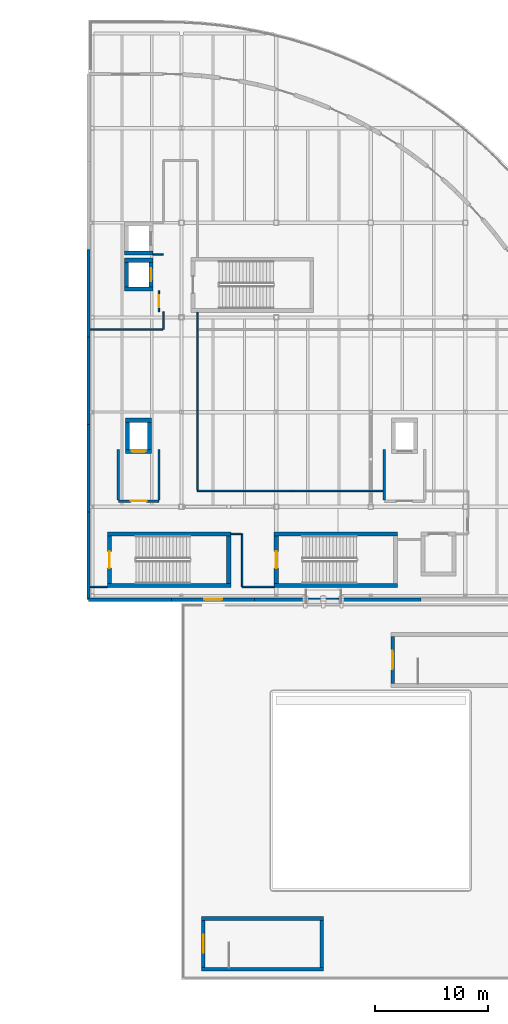
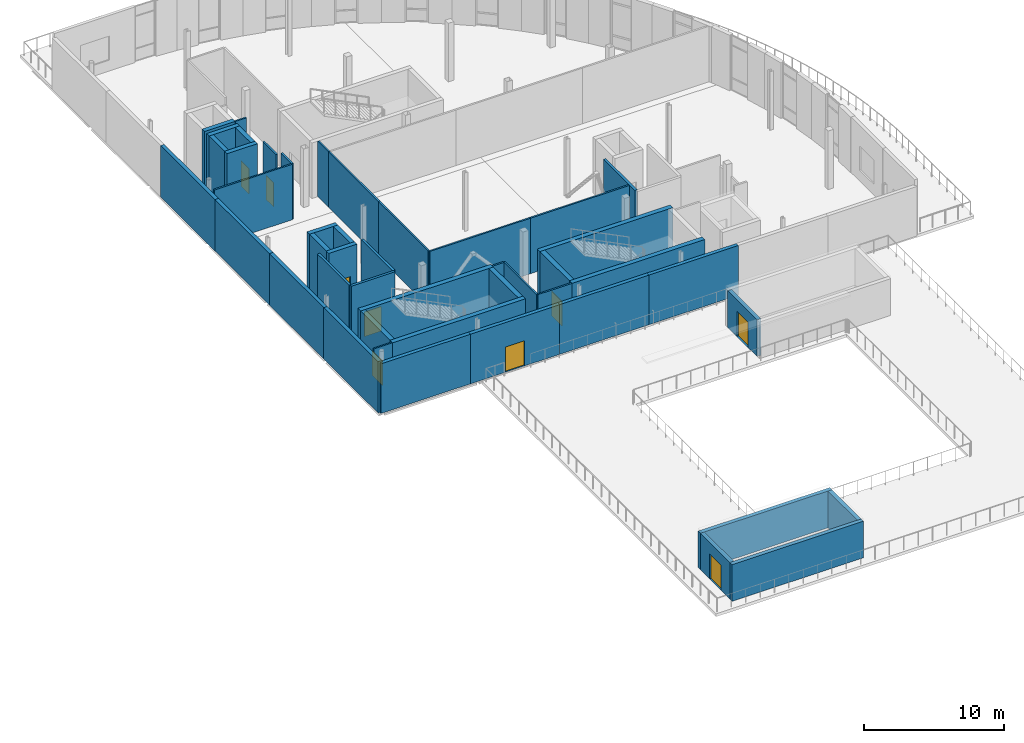
# One storey, part 34 of 57: 46 walls, 9 doors, 9 openings.
"""IFC4 building model written with IfcOpenShell, lengths in metres."""

from ifc_helpers import new_model, si_unit, direction, frame, frame_2d, origin, place, context, subcontext, project, spatial, rectangle, extrude, material, layer, layer_set, type_object, element, fill, save


model = new_model("IFC4")

# Units and contexts
model_context = context("Model", 3, precision=1e-05, world=origin(), true_north=direction((0.0, 1.0)))
body_context = subcontext(model_context, "Body", "Model", "MODEL_VIEW")
ifc_project = project(units=[si_unit("LENGTHUNIT", "METRE"), si_unit("AREAUNIT", "SQUARE_METRE"), si_unit("VOLUMEUNIT", "CUBIC_METRE"), si_unit("PLANEANGLEUNIT", "RADIAN"), si_unit("MASSUNIT", "GRAM", prefix="KILO"), si_unit("THERMODYNAMICTEMPERATUREUNIT", "KELVIN")], contexts=[model_context])

# Site, building, storey
site_placement = place(None, origin())
site = spatial("IfcSite", under=ifc_project, at=site_placement, CompositionType="ELEMENT")
building_placement = place(site_placement, origin())
building = spatial("IfcBuilding", under=site, at=building_placement, Name="Lustrewick Department Store", CompositionType="ELEMENT")
storey_placement = place(building_placement, frame((0.0, 0.0, 26.699951171875)))
storey = spatial("IfcBuildingStorey", under=building, at=storey_placement, Name="L06", CompositionType="ELEMENT", Elevation=26.699951171875)

# Wall
ifc_material_1 = material(Name="Precast concrete C40", Category="concrete")
ifc_layer_1 = layer(ifc_material_1, 0.300048828125, Name="Precast concrete C40")
ifc_layer_set_1 = layer_set([ifc_layer_1], Name="Precast concrete C40")
wall_type_1 = type_object("IfcWallType", Name="EW04", PredefinedType="STANDARD", material=ifc_layer_set_1)
wall_1_placement = place(storey_placement, frame((109.35009765625, 50.550048828125, 0.0), z_axis=(0.0, 0.0, 1.0), x_axis=(1.0, 0.0, 0.0)))
element("IfcWall", 1, at=wall_1_placement, inside=storey, type_object=wall_type_1, Name="L06 V4 Exterior Wall EW04", PredefinedType="STANDARD", context=body_context, shape_type="SweptSolid", body=[
    extrude(rectangle(XDim=7.375, YDim=0.300048828125, at=frame_2d((3.6875, 0.0))), origin(), (0.0, 0.0, 1.0), 4.3310546875),
])

# Wall, opening, door
wall_2_placement = place(storey_placement, frame((116.72509765625, 50.550048828125, 0.0), z_axis=(0.0, 0.0, 1.0), x_axis=(1.0, 0.0, 0.0)))
wall_2 = element("IfcWall", 2, at=wall_2_placement, inside=storey, type_object=wall_type_1, Name="L06 V4 Exterior Wall EW04", PredefinedType="STANDARD", context=body_context, shape_type="SweptSolid", body=[
    extrude(rectangle(XDim=7.375, YDim=0.300048828125, at=frame_2d((3.6875, 0.0))), origin(), (0.0, 0.0, 1.0), 4.3310546875),
])
opening_1_placement = place(wall_2_placement, frame((2.887451171875, 0.0, 0.0)))
opening_1 = element("IfcOpeningElement", 3, at=opening_1_placement, cuts=wall_2, Name="Opening D-TR04", PredefinedType="OPENING", context=body_context, shape_type="SweptSolid", body=[
    extrude(rectangle(XDim=1.60009765625, YDim=2.199951171875, at=frame_2d((0.800048828125, 1.10009765625))), frame((0.0, 0.16015625, 0.0), z_axis=(0.0, -1.0, 0.0), x_axis=(1.0, 0.0, 0.0)), (0.0, 0.0, 1.0), 0.320068359375),
])
ifc_material_2 = material(Name="Steel fire-rated terrace exit door EI 60", Category="steel")
door_type_1 = type_object("IfcDoorType", Name="DT-03", OperationType="NOTDEFINED", PredefinedType="DOOR", material=ifc_material_2)
door_1_placement = place(opening_1_placement, frame((1.60009765625, 0.0, 0.0), z_axis=(0.0, 0.0, 1.0), x_axis=(-1.0, 0.0, 0.0)))
door_1 = element("IfcDoor", 4, at=door_1_placement, inside=storey, type_object=door_type_1, Name="L06 Terrace and Refuge Access Door D-TR04", OperationType="DOUBLE_DOOR_SINGLE_SWING", OverallHeight=2.199951171875, OverallWidth=1.60009765625, PredefinedType="DOOR", context=body_context, shape_type="SweptSolid", body=[
    extrude(rectangle(XDim=1.60009765625, YDim=2.199951171875, at=frame_2d((0.800048828125, 1.10009765625))), frame((0.0, 0.02490234375, 0.0), z_axis=(0.0, -1.0, 0.0), x_axis=(1.0, 0.0, 0.0)), (0.0, 0.0, 1.0), 0.050048828125),
])
fill(opening_1, door_1)

# Walls
for number, where, z_axis, x_axis, name in (
    (5, (124.10009765625, 50.550048828125, 0.0), (0.0, 0.0, 1.0), (1.0, 0.0, 0.0), "L06 V4 Exterior Wall EW04"),
    (6, (131.47509765625, 50.550048828125, 0.0), (0.0, 0.0, 1.0), (1.0, 0.0, 0.0), "L06 V4 Exterior Wall EW04"),
):
    element("IfcWall", number, at=place(storey_placement, frame(where, z_axis=z_axis, x_axis=x_axis)), inside=storey, type_object=wall_type_1, Name=name, PredefinedType="STANDARD", context=body_context, shape_type="SweptSolid", body=[
        extrude(rectangle(XDim=7.375, YDim=0.300048828125, at=frame_2d((3.6875, 0.0))), origin(), (0.0, 0.0, 1.0), 4.3310546875),
    ])
for number, where, z_axis, x_axis, name in (
    (7, (109.35009765625, 81.64990234375, 0.0), (0.0, 0.0, 1.0), (0.0, -1.0, 0.0), "L06 V4 Exterior Wall EW04"),
    (8, (109.35009765625, 73.875, 0.0), (0.0, 0.0, 1.0), (0.0, -1.0, 0.0), "L06 V4 Exterior Wall EW04"),
):
    element("IfcWall", number, at=place(storey_placement, frame(where, z_axis=z_axis, x_axis=x_axis)), inside=storey, type_object=wall_type_1, Name=name, PredefinedType="STANDARD", context=body_context, shape_type="SweptSolid", body=[
        extrude(rectangle(XDim=7.77490234375, YDim=0.300048828125, at=frame_2d((3.887451171875, 0.0))), origin(), (0.0, 0.0, 1.0), 4.487060546875),
    ])
wall_3_placement = place(storey_placement, frame((109.35009765625, 66.10009765625, 0.0), z_axis=(0.0, 0.0, 1.0), x_axis=(0.0, -1.0, 0.0)))
element("IfcWall", 9, at=wall_3_placement, inside=storey, type_object=wall_type_1, Name="L06 V4 Exterior Wall EW04", PredefinedType="STANDARD", context=body_context, shape_type="SweptSolid", body=[
    extrude(rectangle(XDim=7.775146484375, YDim=0.300048828125, at=frame_2d((3.8876953125, 0.0))), origin(), (0.0, 0.0, 1.0), 4.487060546875),
])
wall_4_placement = place(storey_placement, frame((109.35009765625, 58.324951171875, 0.0), z_axis=(0.0, 0.0, 1.0), x_axis=(0.0, -1.0, 0.0)))
element("IfcWall", 10, at=wall_4_placement, inside=storey, type_object=wall_type_1, Name="L06 V4 Exterior Wall EW04", PredefinedType="STANDARD", context=body_context, shape_type="SweptSolid", body=[
    extrude(rectangle(XDim=7.77490234375, YDim=0.300048828125, at=frame_2d((3.887451171875, 0.0))), origin(), (0.0, 0.0, 1.0), 4.487060546875),
])
ifc_material_3 = material(Name="Autoclaved aerated concrete blockwork and fire board", Category="masonry")
ifc_layer_2 = layer(ifc_material_3, 0.205078125, Name="Autoclaved aerated concrete blockwork and fire board")
ifc_layer_set_2 = layer_set([ifc_layer_2], Name="Autoclaved aerated concrete blockwork and fire board")
wall_type_2 = type_object("IfcWallType", Name="PW02", PredefinedType="PARTITIONING", material=ifc_layer_set_2)
wall_5_placement = place(storey_placement, frame((135.60009765625, 63.89990234375, 0.0), z_axis=(0.0, 0.0, 1.0), x_axis=(0.0, -1.0, 0.0)))
element("IfcWall", 11, at=wall_5_placement, inside=storey, type_object=wall_type_2, Name="L06 Firefighting Lift Lobby FFL-03 PW02", PredefinedType="PARTITIONING", context=body_context, shape_type="SweptSolid", body=[
    extrude(rectangle(XDim=4.50244140625, YDim=0.205078125, at=frame_2d((2.251220703125, 0.0))), origin(), (0.0, 0.0, 1.0), 4.844970703125),
])

# Wall, opening, door
wall_6_placement = place(storey_placement, frame((112.0, 59.300048828125, 0.0), z_axis=(0.0, 0.0, 1.0), x_axis=(1.0, 0.0, 0.0)))
wall_6 = element("IfcWall", 12, at=wall_6_placement, inside=storey, type_object=wall_type_2, Name="L06 Firefighting Lift Lobby FFL-04 PW02", PredefinedType="PARTITIONING", context=body_context, shape_type="SweptSolid", body=[
    extrude(rectangle(XDim=3.60009765625, YDim=0.205078125, at=frame_2d((1.800048828125, 0.0))), origin(), (0.0, 0.0, 1.0), 4.844970703125),
])
opening_2_placement = place(wall_6_placement, frame((1.10009765625, 0.0, 0.0)))
opening_2 = element("IfcOpeningElement", 13, at=opening_2_placement, cuts=wall_6, Name="Opening D-L06-048", PredefinedType="OPENING", context=body_context, shape_type="SweptSolid", body=[
    extrude(rectangle(XDim=1.39990234375, YDim=2.14990234375, at=frame_2d((0.699951171875, 1.074951171875))), frame((0.0, 0.112548828125, 0.0), z_axis=(0.0, -1.0, 0.0), x_axis=(1.0, 0.0, 0.0)), (0.0, 0.0, 1.0), 0.22509765625),
])
ifc_material_4 = material(Name="Steel fire door Class B EI 60", Category="steel")
door_type_2 = type_object("IfcDoorType", Name="DT-08", OperationType="NOTDEFINED", PredefinedType="DOOR", material=ifc_material_4)
door_2_placement = place(opening_2_placement, origin())
door_2 = element("IfcDoor", 14, at=door_2_placement, inside=storey, type_object=door_type_2, Name="L06 Firefighting Lift Lobby FFL-04 Door D-L06-048", OperationType="SINGLE_SWING_LEFT", OverallHeight=2.14990234375, OverallWidth=1.39990234375, PredefinedType="DOOR", context=body_context, shape_type="SweptSolid", body=[
    extrude(rectangle(XDim=1.39990234375, YDim=2.14990234375, at=frame_2d((0.699951171875, 1.074951171875))), frame((0.0, 0.02490234375, 0.0), z_axis=(0.0, -1.0, 0.0), x_axis=(1.0, 0.0, 0.0)), (0.0, 0.0, 1.0), 0.050048828125),
])
fill(opening_2, door_2)

# Walls
for number, where, z_axis, x_axis, name in (
    (15, (115.60009765625, 59.3974609375, 0.0), (0.0, 0.0, 1.0), (0.0, 1.0, 0.0), "L06 Firefighting Lift Lobby FFL-04 PW02"),
    (16, (112.0, 63.89990234375, 0.0), (0.0, 0.0, 1.0), (0.0, -1.0, 0.0), "L06 Firefighting Lift Lobby FFL-04 PW02"),
):
    element("IfcWall", number, at=place(storey_placement, frame(where, z_axis=z_axis, x_axis=x_axis)), inside=storey, type_object=wall_type_2, Name=name, PredefinedType="PARTITIONING", context=body_context, shape_type="SweptSolid", body=[
        extrude(rectangle(XDim=4.50244140625, YDim=0.205078125, at=frame_2d((2.251220703125, 0.0))), origin(), (0.0, 0.0, 1.0), 4.844970703125),
    ])
ifc_material_5 = material(Name="Acoustic gypsum stud corridor partition", Category="gypsum")
ifc_layer_3 = layer(ifc_material_5, 0.135009765625, Name="Acoustic gypsum stud corridor partition")
ifc_layer_set_3 = layer_set([ifc_layer_3], Name="Acoustic gypsum stud corridor partition")
wall_type_3 = type_object("IfcWallType", Name="PW06", PredefinedType="PARTITIONING", material=ifc_layer_set_3)
wall_7_placement = place(storey_placement, frame((119.010009765625, 60.2099609375, 0.0), z_axis=(0.0, 0.0, 1.0), x_axis=(1.0, 0.0, 0.0)))
element("IfcWall", 17, at=wall_7_placement, inside=storey, type_object=wall_type_3, Name="L06 Store Buying Office PW06", PredefinedType="PARTITIONING", context=body_context, shape_type="SweptSolid", body=[
    extrude(rectangle(XDim=8.2900390625, YDim=0.135009765625, at=frame_2d((4.14501953125, 0.0))), origin(), (0.0, 0.0, 1.0), 4.844970703125),
])
wall_8_placement = place(storey_placement, frame((127.300048828125, 60.2099609375, 0.0), z_axis=(0.0, 0.0, 1.0), x_axis=(1.0, 0.0, 0.0)))
element("IfcWall", 18, at=wall_8_placement, inside=storey, type_object=wall_type_3, Name="L06 Store Buying Office PW06", PredefinedType="PARTITIONING", context=body_context, shape_type="SweptSolid", body=[
    extrude(rectangle(XDim=8.202392578125, YDim=0.135009765625, at=frame_2d((4.10107421875, 0.0))), origin(), (0.0, 0.0, 1.0), 4.844970703125),
])
wall_9_placement = place(storey_placement, frame((119.010009765625, 74.5439453125, 0.0), z_axis=(0.0, 0.0, 1.0), x_axis=(0.0, -1.0, 0.0)))
element("IfcWall", 19, at=wall_9_placement, inside=storey, type_object=wall_type_3, Name="L06 Store Buying Office PW06", PredefinedType="PARTITIONING", context=body_context, shape_type="SweptSolid", body=[
    extrude(rectangle(XDim=7.1669921875, YDim=0.135009765625, at=frame_2d((3.58349609375, 0.0))), origin(), (0.0, 0.0, 1.0), 4.844970703125),
])
wall_10_placement = place(storey_placement, frame((119.010009765625, 67.376953125, 0.0), z_axis=(0.0, 0.0, 1.0), x_axis=(0.0, -1.0, 0.0)))
element("IfcWall", 20, at=wall_10_placement, inside=storey, type_object=wall_type_3, Name="L06 Store Buying Office PW06", PredefinedType="PARTITIONING", context=body_context, shape_type="SweptSolid", body=[
    extrude(rectangle(XDim=7.1044921875, YDim=0.135009765625, at=frame_2d((3.55224609375, 0.0))), origin(), (0.0, 0.0, 1.0), 4.844970703125),
])
wall_11_placement = place(storey_placement, frame((122.989990234375, 51.699951171875, 0.0), z_axis=(0.0, 0.0, 1.0), x_axis=(0.0, 1.0, 0.0)))
element("IfcWall", 21, at=wall_11_placement, inside=storey, type_object=wall_type_3, Name="L06 Store Buying Office PW06", PredefinedType="PARTITIONING", context=body_context, shape_type="SweptSolid", body=[
    extrude(rectangle(XDim=4.68994140625, YDim=0.135009765625, at=frame_2d((2.344970703125, 0.0))), origin(), (0.0, 0.0, 1.0), 4.844970703125),
])
wall_12_placement = place(storey_placement, frame((122.927490234375, 56.389892578125, 0.0), z_axis=(0.0, 0.0, 1.0), x_axis=(-1.0, 0.0, 0.0)))
element("IfcWall", 22, at=wall_12_placement, inside=storey, type_object=wall_type_3, Name="L06 Store Buying Office PW06", PredefinedType="PARTITIONING", context=body_context, shape_type="SweptSolid", body=[
    extrude(rectangle(XDim=0.947509765625, YDim=0.135009765625, at=frame_2d((0.4736328125, 0.0))), origin(), (0.0, 0.0, 1.0), 4.844970703125),
])
wall_13_placement = place(storey_placement, frame((125.820068359375, 51.68994140625, 0.0), z_axis=(0.0, 0.0, 1.0), x_axis=(-1.0, 0.0, 0.0)))
element("IfcWall", 23, at=wall_13_placement, inside=storey, type_object=wall_type_3, Name="L06 Store Buying Office PW06", PredefinedType="PARTITIONING", context=body_context, shape_type="SweptSolid", body=[
    extrude(rectangle(XDim=2.820068359375, YDim=0.135009765625, at=frame_2d((1.41015625, 0.0))), origin(), (0.0, 0.0, 1.0), 4.844970703125),
])
wall_14_placement = place(storey_placement, frame((111.02001953125, 51.68994140625, 0.0), z_axis=(0.0, 0.0, 1.0), x_axis=(-1.0, 0.0, 0.0)))
element("IfcWall", 24, at=wall_14_placement, inside=storey, type_object=wall_type_3, Name="L06 Store Buying Office PW06", PredefinedType="PARTITIONING", context=body_context, shape_type="SweptSolid", body=[
    extrude(rectangle(XDim=1.52490234375, YDim=0.135009765625, at=frame_2d((0.762451171875, 0.0))), origin(), (0.0, 0.0, 1.0), 4.844970703125),
])

# Wall, opening, door
wall_15_placement = place(storey_placement, frame((115.590087890625, 76.10009765625, 0.0), z_axis=(0.0, 0.0, 1.0), x_axis=(0.0, 1.0, 0.0)))
wall_15 = element("IfcWall", 25, at=wall_15_placement, inside=storey, type_object=wall_type_3, Name="L06 Store Administration Office PW06", PredefinedType="PARTITIONING", context=body_context, shape_type="SweptSolid", body=[
    extrude(rectangle(XDim=1.889892578125, YDim=0.135009765625, at=frame_2d((0.94482421875, 0.0))), origin(), (0.0, 0.0, 1.0), 4.844970703125),
])
opening_3_placement = place(wall_15_placement, frame((0.419921875, 0.0, 0.0)))
opening_3 = element("IfcOpeningElement", 26, at=opening_3_placement, cuts=wall_15, Name="Opening D-L06-050", PredefinedType="OPENING", context=body_context, shape_type="SweptSolid", body=[
    extrude(rectangle(XDim=1.050048828125, YDim=2.10009765625, at=frame_2d((0.52490234375, 1.050048828125))), frame((0.0, 0.07763671875, 0.0), z_axis=(0.0, -1.0, 0.0), x_axis=(1.0, 0.0, 0.0)), (0.0, 0.0, 1.0), 0.155029296875),
])
ifc_material_6 = material(Name="Acoustic oak veneer office door", Category="wood")
door_type_3 = type_object("IfcDoorType", Name="DT-10", OperationType="NOTDEFINED", PredefinedType="DOOR", material=ifc_material_6)
door_3_placement = place(opening_3_placement, origin())
door_3 = element("IfcDoor", 27, at=door_3_placement, inside=storey, type_object=door_type_3, Name="L06 Store Administration Office Door D-L06-050", OperationType="SINGLE_SWING_LEFT", OverallHeight=2.10009765625, OverallWidth=1.050048828125, PredefinedType="DOOR", context=body_context, shape_type="SweptSolid", body=[
    extrude(rectangle(XDim=1.050048828125, YDim=2.10009765625, at=frame_2d((0.52490234375, 1.050048828125))), frame((0.0, 0.02490234375, 0.0), z_axis=(0.0, -1.0, 0.0), x_axis=(1.0, 0.0, 0.0)), (0.0, 0.0, 1.0), 0.050048828125),
])
fill(opening_3, door_3)

# Walls
wall_16_placement = place(storey_placement, frame((115.989990234375, 74.5439453125, 0.0), z_axis=(0.0, 0.0, 1.0), x_axis=(0.0, 1.0, 0.0)))
element("IfcWall", 28, at=wall_16_placement, inside=storey, type_object=wall_type_3, Name="L06 Store Administration Office PW06", PredefinedType="PARTITIONING", context=body_context, shape_type="SweptSolid", body=[
    extrude(rectangle(XDim=1.546142578125, YDim=0.135009765625, at=frame_2d((0.77294921875, 0.0))), origin(), (0.0, 0.0, 1.0), 4.844970703125),
])
wall_17_placement = place(storey_placement, frame((115.989990234375, 81.18994140625, 0.0), z_axis=(0.0, 0.0, 1.0), x_axis=(-1.0, 0.0, 0.0)))
element("IfcWall", 29, at=wall_17_placement, inside=storey, type_object=wall_type_3, Name="L06 Store Administration Office PW06", PredefinedType="PARTITIONING", context=body_context, shape_type="SweptSolid", body=[
    extrude(rectangle(XDim=0.929931640625, YDim=0.135009765625, at=frame_2d((0.46484375, 0.0))), origin(), (0.0, 0.0, 1.0), 4.844970703125),
])
wall_18_placement = place(storey_placement, frame((109.4951171875, 74.5439453125, 0.0), z_axis=(0.0, 0.0, 1.0), x_axis=(1.0, 0.0, 0.0)))
element("IfcWall", 30, at=wall_18_placement, inside=storey, type_object=wall_type_3, Name="L06 Store Administration Office PW06", PredefinedType="PARTITIONING", context=body_context, shape_type="SweptSolid", body=[
    extrude(rectangle(XDim=6.432373046875, YDim=0.135009765625, at=frame_2d((3.21630859375, 0.0))), origin(), (0.0, 0.0, 1.0), 4.844970703125),
])
wall_19_placement = place(storey_placement, frame((119.010009765625, 76.06494140625, 0.0), z_axis=(0.0, 0.0, 1.0), x_axis=(0.0, -1.0, 0.0)))
element("IfcWall", 31, at=wall_19_placement, inside=storey, type_object=wall_type_3, Name="L06 Store Administration Office PW06", PredefinedType="PARTITIONING", context=body_context, shape_type="SweptSolid", body=[
    extrude(rectangle(XDim=1.52099609375, YDim=0.135009765625, at=frame_2d((0.760498046875, 0.0))), origin(), (0.0, 0.0, 1.0), 4.844970703125),
])
ifc_material_7 = material(Name="Concrete C40", Category="concrete")
ifc_layer_4 = layer(ifc_material_7, 0.3798828125, Name="Concrete C40")
ifc_layer_set_4 = layer_set([ifc_layer_4], Name="Concrete C40")
wall_type_4 = type_object("IfcWallType", Name="SW03", PredefinedType="SHEAR", material=ifc_layer_set_4)
wall_20_placement = place(storey_placement, frame((111.02001953125, 51.81005859375, 0.0), z_axis=(0.0, 0.0, 1.0), x_axis=(1.0, 0.0, 0.0)))
element("IfcWall", 32, at=wall_20_placement, inside=storey, type_object=wall_type_4, Name="L06 Stair Core ST09 Shear Wall S", PredefinedType="SHEAR", context=body_context, shape_type="SweptSolid", body=[
    extrude(rectangle(XDim=10.9599609375, YDim=0.3798828125, at=frame_2d((5.47998046875, 0.0))), origin(), (0.0, 0.0, 1.0), 4.844970703125),
])
wall_21_placement = place(storey_placement, frame((121.7900390625, 52.0, 0.0), z_axis=(0.0, 0.0, 1.0), x_axis=(0.0, 1.0, 0.0)))
element("IfcWall", 33, at=wall_21_placement, inside=storey, type_object=wall_type_4, Name="L06 Stair Core ST09 Shear Wall E", PredefinedType="SHEAR", context=body_context, shape_type="SweptSolid", body=[
    extrude(rectangle(XDim=4.199951171875, YDim=0.3798828125, at=frame_2d((2.10009765625, 0.0))), origin(), (0.0, 0.0, 1.0), 4.844970703125),
])
wall_22_placement = place(storey_placement, frame((121.97998046875, 56.389892578125, 0.0), z_axis=(0.0, 0.0, 1.0), x_axis=(-1.0, 0.0, 0.0)))
element("IfcWall", 34, at=wall_22_placement, inside=storey, type_object=wall_type_4, Name="L06 Stair Core ST09 Shear Wall N", PredefinedType="SHEAR", context=body_context, shape_type="SweptSolid", body=[
    extrude(rectangle(XDim=10.9599609375, YDim=0.3798828125, at=frame_2d((5.47998046875, 0.0))), origin(), (0.0, 0.0, 1.0), 4.844970703125),
])

# Wall, opening, door
wall_23_placement = place(storey_placement, frame((111.2099609375, 56.199951171875, 0.0), z_axis=(0.0, 0.0, 1.0), x_axis=(0.0, -1.0, 0.0)))
wall_23 = element("IfcWall", 35, at=wall_23_placement, inside=storey, type_object=wall_type_4, Name="L06 Stair Core ST09 Shear Wall W", PredefinedType="SHEAR", context=body_context, shape_type="SweptSolid", body=[
    extrude(rectangle(XDim=4.199951171875, YDim=0.3798828125, at=frame_2d((2.10009765625, 0.0))), origin(), (0.0, 0.0, 1.0), 4.844970703125),
])
opening_4_placement = place(wall_23_placement, frame((1.35009765625, 0.0, 0.0)))
opening_4 = element("IfcOpeningElement", 36, at=opening_4_placement, cuts=wall_23, Name="Opening D-L06-006", PredefinedType="OPENING", context=body_context, shape_type="SweptSolid", body=[
    extrude(rectangle(XDim=1.5, YDim=2.14990234375, at=frame_2d((0.75, 1.074951171875))), frame((0.0, 0.199951171875, 0.0), z_axis=(0.0, -1.0, 0.0), x_axis=(1.0, 0.0, 0.0)), (0.0, 0.0, 1.0), 0.39990234375),
])
door_type_4 = type_object("IfcDoorType", Name="DT-07", OperationType="NOTDEFINED", PredefinedType="DOOR", material=ifc_material_4)
door_4_placement = place(opening_4_placement, origin())
door_4 = element("IfcDoor", 37, at=door_4_placement, inside=storey, type_object=door_type_4, Name="L06 Smoke-Proof Stair ST09 Fire Door", OperationType="SINGLE_SWING_RIGHT", OverallHeight=2.14990234375, OverallWidth=1.5, PredefinedType="DOOR", context=body_context, shape_type="SweptSolid", body=[
    extrude(rectangle(XDim=1.5, YDim=2.14990234375, at=frame_2d((0.75, 1.074951171875))), frame((0.0, 0.02490234375, 0.0), z_axis=(0.0, -1.0, 0.0), x_axis=(1.0, 0.0, 0.0)), (0.0, 0.0, 1.0), 0.050048828125),
])
fill(opening_4, door_4)

# Walls
for number, where, z_axis, x_axis, name in (
    (38, (125.820068359375, 51.81005859375, 0.0), (0.0, 0.0, 1.0), (1.0, 0.0, 0.0), "L06 Stair Core ST11 Shear Wall S"),
    (39, (136.780029296875, 56.389892578125, 0.0), (0.0, 0.0, 1.0), (-1.0, 0.0, 0.0), "L06 Stair Core ST11 Shear Wall N"),
):
    element("IfcWall", number, at=place(storey_placement, frame(where, z_axis=z_axis, x_axis=x_axis)), inside=storey, type_object=wall_type_4, Name=name, PredefinedType="SHEAR", context=body_context, shape_type="SweptSolid", body=[
        extrude(rectangle(XDim=10.9599609375, YDim=0.3798828125, at=frame_2d((5.47998046875, 0.0))), origin(), (0.0, 0.0, 1.0), 4.844970703125),
    ])

# Wall, opening, door
wall_24_placement = place(storey_placement, frame((126.010009765625, 56.199951171875, 0.0), z_axis=(0.0, 0.0, 1.0), x_axis=(0.0, -1.0, 0.0)))
wall_24 = element("IfcWall", 40, at=wall_24_placement, inside=storey, type_object=wall_type_4, Name="L06 Stair Core ST11 Shear Wall W", PredefinedType="SHEAR", context=body_context, shape_type="SweptSolid", body=[
    extrude(rectangle(XDim=4.199951171875, YDim=0.3798828125, at=frame_2d((2.10009765625, 0.0))), origin(), (0.0, 0.0, 1.0), 4.844970703125),
])
opening_5_placement = place(wall_24_placement, frame((1.35009765625, 0.0, 0.0)))
opening_5 = element("IfcOpeningElement", 41, at=opening_5_placement, cuts=wall_24, Name="Opening D-L06-008", PredefinedType="OPENING", context=body_context, shape_type="SweptSolid", body=[
    extrude(rectangle(XDim=1.5, YDim=2.14990234375, at=frame_2d((0.75, 1.074951171875))), frame((0.0, 0.199951171875, 0.0), z_axis=(0.0, -1.0, 0.0), x_axis=(1.0, 0.0, 0.0)), (0.0, 0.0, 1.0), 0.39990234375),
])
door_5_placement = place(opening_5_placement, origin())
door_5 = element("IfcDoor", 42, at=door_5_placement, inside=storey, type_object=door_type_4, Name="L06 Smoke-Proof Stair ST11 Fire Door", OperationType="SINGLE_SWING_RIGHT", OverallHeight=2.14990234375, OverallWidth=1.5, PredefinedType="DOOR", context=body_context, shape_type="SweptSolid", body=[
    extrude(rectangle(XDim=1.5, YDim=2.14990234375, at=frame_2d((0.75, 1.074951171875))), frame((0.0, 0.02490234375, 0.0), z_axis=(0.0, -1.0, 0.0), x_axis=(1.0, 0.0, 0.0)), (0.0, 0.0, 1.0), 0.050048828125),
])
fill(opening_5, door_5)

ifc_layer_5 = layer(ifc_material_7, 0.360107421875, Name="Concrete C40")
ifc_layer_set_5 = layer_set([ifc_layer_5], Name="Concrete C40")
wall_type_5 = type_object("IfcWallType", Name="SW04", PredefinedType="SHEAR", material=ifc_layer_set_5)
wall_25_placement = place(storey_placement, frame((112.639892578125, 63.719970703125, 0.0), z_axis=(0.0, 0.0, 1.0), x_axis=(1.0, 0.0, 0.0)))
wall_25 = element("IfcWall", 43, at=wall_25_placement, inside=storey, type_object=wall_type_5, Name="L06 Lift FFL-04 Shaft Wall -Y", PredefinedType="SHEAR", context=body_context, shape_type="SweptSolid", body=[
    extrude(rectangle(XDim=2.320068359375, YDim=0.360107421875, at=frame_2d((1.16015625, 0.0))), origin(), (0.0, 0.0, 1.0), 4.844970703125),
])
opening_6_placement = place(wall_25_placement, frame((0.534912109375, 0.0, 0.0)))
opening_6 = element("IfcOpeningElement", 44, at=opening_6_placement, cuts=wall_25, Name="Opening LD-L06-03", PredefinedType="OPENING", context=body_context, shape_type="SweptSolid", body=[
    extrude(rectangle(XDim=1.25, YDim=2.199951171875, at=frame_2d((0.625, 1.10009765625))), frame((0.0, 0.18994140625, 0.0), z_axis=(0.0, -1.0, 0.0), x_axis=(1.0, 0.0, 0.0)), (0.0, 0.0, 1.0), 0.380126953125),
])
ifc_material_8 = material(Name="Stainless steel firefighting lift landing door EI 90", Category="steel")
door_type_5 = type_object("IfcDoorType", Name="DT-15", OperationType="NOTDEFINED", PredefinedType="DOOR", material=ifc_material_8)
door_6_placement = place(opening_6_placement, frame((1.25, 0.0, 0.0), z_axis=(0.0, 0.0, 1.0), x_axis=(-1.0, 0.0, 0.0)))
door_6 = element("IfcDoor", 45, at=door_6_placement, inside=storey, type_object=door_type_5, Name="L06 Lift FFL-04 Sliding Landing Door LD-L06-03", OperationType="DOUBLE_DOOR_SLIDING", OverallHeight=2.199951171875, OverallWidth=1.25, PredefinedType="DOOR", context=body_context, shape_type="SweptSolid", body=[
    extrude(rectangle(XDim=1.25, YDim=2.199951171875, at=frame_2d((0.625, 1.10009765625))), frame((0.0, 0.02490234375, 0.0), z_axis=(0.0, -1.0, 0.0), x_axis=(1.0, 0.0, 0.0)), (0.0, 0.0, 1.0), 0.050048828125),
])
fill(opening_6, door_6)

# Walls
wall_26_placement = place(storey_placement, frame((114.780029296875, 63.89990234375, 0.0), z_axis=(0.0, 0.0, 1.0), x_axis=(0.0, 1.0, 0.0)))
element("IfcWall", 46, at=wall_26_placement, inside=storey, type_object=wall_type_5, Name="L06 Lift FFL-04 Shaft Wall +X", PredefinedType="SHEAR", context=body_context, shape_type="SweptSolid", body=[
    extrude(rectangle(XDim=2.400146484375, YDim=0.360107421875, at=frame_2d((1.2001953125, 0.0))), origin(), (0.0, 0.0, 1.0), 4.844970703125),
])
wall_27_placement = place(storey_placement, frame((114.9599609375, 66.47998046875, 0.0), z_axis=(0.0, 0.0, 1.0), x_axis=(-1.0, 0.0, 0.0)))
element("IfcWall", 47, at=wall_27_placement, inside=storey, type_object=wall_type_5, Name="L06 Lift FFL-04 Shaft Wall +Y", PredefinedType="SHEAR", context=body_context, shape_type="SweptSolid", body=[
    extrude(rectangle(XDim=2.320068359375, YDim=0.360107421875, at=frame_2d((1.16015625, 0.0))), origin(), (0.0, 0.0, 1.0), 4.844970703125),
])
wall_28_placement = place(storey_placement, frame((112.820068359375, 66.300048828125, 0.0), z_axis=(0.0, 0.0, 1.0), x_axis=(0.0, -1.0, 0.0)))
element("IfcWall", 48, at=wall_28_placement, inside=storey, type_object=wall_type_5, Name="L06 Lift FFL-04 Shaft Wall -X", PredefinedType="SHEAR", context=body_context, shape_type="SweptSolid", body=[
    extrude(rectangle(XDim=2.400146484375, YDim=0.360107421875, at=frame_2d((1.2001953125, 0.0))), origin(), (0.0, 0.0, 1.0), 4.844970703125),
])
wall_29_placement = place(storey_placement, frame((112.5400390625, 78.1201171875, 0.0), z_axis=(0.0, 0.0, 1.0), x_axis=(1.0, 0.0, 0.0)))
element("IfcWall", 49, at=wall_29_placement, inside=storey, type_object=wall_type_5, Name="L06 Lift PL-07 Shaft Wall -Y", PredefinedType="SHEAR", context=body_context, shape_type="SweptSolid", body=[
    extrude(rectangle(XDim=2.52001953125, YDim=0.360107421875, at=frame_2d((1.260009765625, 0.0))), origin(), (0.0, 0.0, 1.0), 4.844970703125),
])

# Wall, opening, door
wall_30_placement = place(storey_placement, frame((114.8798828125, 78.300048828125, 0.0), z_axis=(0.0, 0.0, 1.0), x_axis=(0.0, 1.0, 0.0)))
wall_30 = element("IfcWall", 50, at=wall_30_placement, inside=storey, type_object=wall_type_5, Name="L06 Lift PL-07 Shaft Wall +X", PredefinedType="SHEAR", context=body_context, shape_type="SweptSolid", body=[
    extrude(rectangle(XDim=2.199951171875, YDim=0.360107421875, at=frame_2d((1.10009765625, 0.0))), origin(), (0.0, 0.0, 1.0), 4.844970703125),
])
opening_7_placement = place(wall_30_placement, frame((0.52490234375, 0.0, 0.0)))
opening_7 = element("IfcOpeningElement", 51, at=opening_7_placement, cuts=wall_30, Name="Opening LD-L06-06", PredefinedType="OPENING", context=body_context, shape_type="SweptSolid", body=[
    extrude(rectangle(XDim=1.14990234375, YDim=2.199951171875, at=frame_2d((0.574951171875, 1.10009765625))), frame((0.0, 0.18994140625, 0.0), z_axis=(0.0, -1.0, 0.0), x_axis=(1.0, 0.0, 0.0)), (0.0, 0.0, 1.0), 0.380126953125),
])
ifc_material_9 = material(Name="Brushed bronze passenger lift landing door EI 60", Category="steel")
door_type_6 = type_object("IfcDoorType", Name="DT-16", OperationType="NOTDEFINED", PredefinedType="DOOR", material=ifc_material_9)
door_7_placement = place(opening_7_placement, frame((1.14990234375, 0.0, 0.0), z_axis=(0.0, 0.0, 1.0), x_axis=(-1.0, 0.0, 0.0)))
door_7 = element("IfcDoor", 52, at=door_7_placement, inside=storey, type_object=door_type_6, Name="L06 Lift PL-07 Sliding Landing Door LD-L06-06", OperationType="DOUBLE_DOOR_SLIDING", OverallHeight=2.199951171875, OverallWidth=1.14990234375, PredefinedType="DOOR", context=body_context, shape_type="SweptSolid", body=[
    extrude(rectangle(XDim=1.14990234375, YDim=2.199951171875, at=frame_2d((0.574951171875, 1.10009765625))), frame((0.0, 0.02490234375, 0.0), z_axis=(0.0, -1.0, 0.0), x_axis=(1.0, 0.0, 0.0)), (0.0, 0.0, 1.0), 0.050048828125),
])
fill(opening_7, door_7)

# Walls
wall_31_placement = place(storey_placement, frame((115.06005859375, 80.679931640625, 0.0), z_axis=(0.0, 0.0, 1.0), x_axis=(-1.0, 0.0, 0.0)))
element("IfcWall", 53, at=wall_31_placement, inside=storey, type_object=wall_type_5, Name="L06 Lift PL-07 Shaft Wall +Y", PredefinedType="SHEAR", context=body_context, shape_type="SweptSolid", body=[
    extrude(rectangle(XDim=2.52001953125, YDim=0.360107421875, at=frame_2d((1.260009765625, 0.0))), origin(), (0.0, 0.0, 1.0), 4.844970703125),
])
wall_32_placement = place(storey_placement, frame((112.719970703125, 80.5, 0.0), z_axis=(0.0, 0.0, 1.0), x_axis=(0.0, -1.0, 0.0)))
element("IfcWall", 54, at=wall_32_placement, inside=storey, type_object=wall_type_5, Name="L06 Lift PL-07 Shaft Wall -X", PredefinedType="SHEAR", context=body_context, shape_type="SweptSolid", body=[
    extrude(rectangle(XDim=2.199951171875, YDim=0.360107421875, at=frame_2d((1.10009765625, 0.0))), origin(), (0.0, 0.0, 1.0), 4.844970703125),
])
wall_33_placement = place(storey_placement, frame((112.5400390625, 81.320068359375, 0.0), z_axis=(0.0, 0.0, 1.0), x_axis=(1.0, 0.0, 0.0)))
element("IfcWall", 55, at=wall_33_placement, inside=storey, type_object=wall_type_5, Name="L06 Lift PL-08 Shaft Wall -Y", PredefinedType="SHEAR", context=body_context, shape_type="SweptSolid", body=[
    extrude(rectangle(XDim=2.52001953125, YDim=0.360107421875, at=frame_2d((1.260009765625, 0.0))), origin(), (0.0, 0.0, 1.0), 4.844970703125),
])
ifc_layer_6 = layer(ifc_material_7, 0.320068359375, Name="Concrete C40")
ifc_layer_set_6 = layer_set([ifc_layer_6], Name="Concrete C40")
wall_type_6 = type_object("IfcWallType", Name="SW06", PredefinedType="SHEAR", material=ifc_layer_set_6)
wall_34_placement = place(storey_placement, frame((119.3798828125, 17.739990234375, 0.0), z_axis=(0.0, 0.0, 1.0), x_axis=(1.0, 0.0, 0.0)))
element("IfcWall", 56, at=wall_34_placement, inside=storey, type_object=wall_type_6, Name="L06 Stair Core ST07 Shear Wall S", PredefinedType="SHEAR", context=body_context, shape_type="SweptSolid", body=[
    extrude(rectangle(XDim=10.840087890625, YDim=0.320068359375, at=frame_2d((5.419921875, 0.0))), origin(), (0.0, 0.0, 1.0), 3.199951171875),
])
wall_35_placement = place(storey_placement, frame((130.06005859375, 17.89990234375, 0.0), z_axis=(0.0, 0.0, 1.0), x_axis=(0.0, 1.0, 0.0)))
element("IfcWall", 57, at=wall_35_placement, inside=storey, type_object=wall_type_6, Name="L06 Stair Core ST07 Shear Wall E", PredefinedType="SHEAR", context=body_context, shape_type="SweptSolid", body=[
    extrude(rectangle(XDim=4.2001953125, YDim=0.320068359375, at=frame_2d((2.10009765625, 0.0))), origin(), (0.0, 0.0, 1.0), 3.199951171875),
])
wall_36_placement = place(storey_placement, frame((130.219970703125, 22.260009765625, 0.0), z_axis=(0.0, 0.0, 1.0), x_axis=(-1.0, 0.0, 0.0)))
element("IfcWall", 58, at=wall_36_placement, inside=storey, type_object=wall_type_6, Name="L06 Stair Core ST07 Shear Wall N", PredefinedType="SHEAR", context=body_context, shape_type="SweptSolid", body=[
    extrude(rectangle(XDim=10.840087890625, YDim=0.320068359375, at=frame_2d((5.419921875, 0.0))), origin(), (0.0, 0.0, 1.0), 3.199951171875),
])

# Wall, opening, door
wall_37_placement = place(storey_placement, frame((119.5400390625, 22.10009765625, 0.0), z_axis=(0.0, 0.0, 1.0), x_axis=(0.0, -1.0, 0.0)))
wall_37 = element("IfcWall", 59, at=wall_37_placement, inside=storey, type_object=wall_type_6, Name="L06 Stair Core ST07 Shear Wall W", PredefinedType="SHEAR", context=body_context, shape_type="SweptSolid", body=[
    extrude(rectangle(XDim=4.2001953125, YDim=0.320068359375, at=frame_2d((2.10009765625, 0.0))), origin(), (0.0, 0.0, 1.0), 3.199951171875),
])
opening_8_placement = place(wall_37_placement, frame((1.300048828125, 0.0, 0.0)))
opening_8 = element("IfcOpeningElement", 60, at=opening_8_placement, cuts=wall_37, Name="Opening D-L06-004", PredefinedType="OPENING", context=body_context, shape_type="SweptSolid", body=[
    extrude(rectangle(XDim=1.60009765625, YDim=2.199951171875, at=frame_2d((0.800048828125, 1.10009765625))), frame((0.0, 0.169921875, 0.0), z_axis=(0.0, -1.0, 0.0), x_axis=(1.0, 0.0, 0.0)), (0.0, 0.0, 1.0), 0.340087890625),
])
door_8_placement = place(opening_8_placement, frame((1.60009765625, 0.0, 0.0), z_axis=(0.0, 0.0, 1.0), x_axis=(-1.0, 0.0, 0.0)))
door_8 = element("IfcDoor", 61, at=door_8_placement, inside=storey, type_object=door_type_1, Name="L06 Stair ST07 Refuge Platform Exit Door", OperationType="DOUBLE_DOOR_SINGLE_SWING", OverallHeight=2.199951171875, OverallWidth=1.60009765625, PredefinedType="DOOR", context=body_context, shape_type="SweptSolid", body=[
    extrude(rectangle(XDim=1.60009765625, YDim=2.199951171875, at=frame_2d((0.800048828125, 1.10009765625))), frame((0.0, 0.02490234375, 0.0), z_axis=(0.0, -1.0, 0.0), x_axis=(1.0, 0.0, 0.0)), (0.0, 0.0, 1.0), 0.050048828125),
])
fill(opening_8, door_8)

wall_38_placement = place(storey_placement, frame((136.340087890625, 47.300048828125, 0.0), z_axis=(0.0, 0.0, 1.0), x_axis=(0.0, -1.0, 0.0)))
wall_38 = element("IfcWall", 62, at=wall_38_placement, inside=storey, type_object=wall_type_6, Name="L06 Stair Core ST08 Shear Wall W", PredefinedType="SHEAR", context=body_context, shape_type="SweptSolid", body=[
    extrude(rectangle(XDim=4.199951171875, YDim=0.320068359375, at=frame_2d((2.10009765625, 0.0))), origin(), (0.0, 0.0, 1.0), 3.199951171875),
])
opening_9_placement = place(wall_38_placement, frame((1.300048828125, 0.0, 0.0)))
opening_9 = element("IfcOpeningElement", 63, at=opening_9_placement, cuts=wall_38, Name="Opening D-L06-005", PredefinedType="OPENING", context=body_context, shape_type="SweptSolid", body=[
    extrude(rectangle(XDim=1.60009765625, YDim=2.199951171875, at=frame_2d((0.800048828125, 1.10009765625))), frame((0.0, 0.169921875, 0.0), z_axis=(0.0, -1.0, 0.0), x_axis=(1.0, 0.0, 0.0)), (0.0, 0.0, 1.0), 0.340087890625),
])
door_9_placement = place(opening_9_placement, frame((1.60009765625, 0.0, 0.0), z_axis=(0.0, 0.0, 1.0), x_axis=(-1.0, 0.0, 0.0)))
door_9 = element("IfcDoor", 64, at=door_9_placement, inside=storey, type_object=door_type_1, Name="L06 Stair ST08 Refuge Platform Exit Door", OperationType="DOUBLE_DOOR_SINGLE_SWING", OverallHeight=2.199951171875, OverallWidth=1.60009765625, PredefinedType="DOOR", context=body_context, shape_type="SweptSolid", body=[
    extrude(rectangle(XDim=1.60009765625, YDim=2.199951171875, at=frame_2d((0.800048828125, 1.10009765625))), frame((0.0, 0.02490234375, 0.0), z_axis=(0.0, -1.0, 0.0), x_axis=(1.0, 0.0, 0.0)), (0.0, 0.0, 1.0), 0.050048828125),
])
fill(opening_9, door_9)

save(model, "model.ifc")
